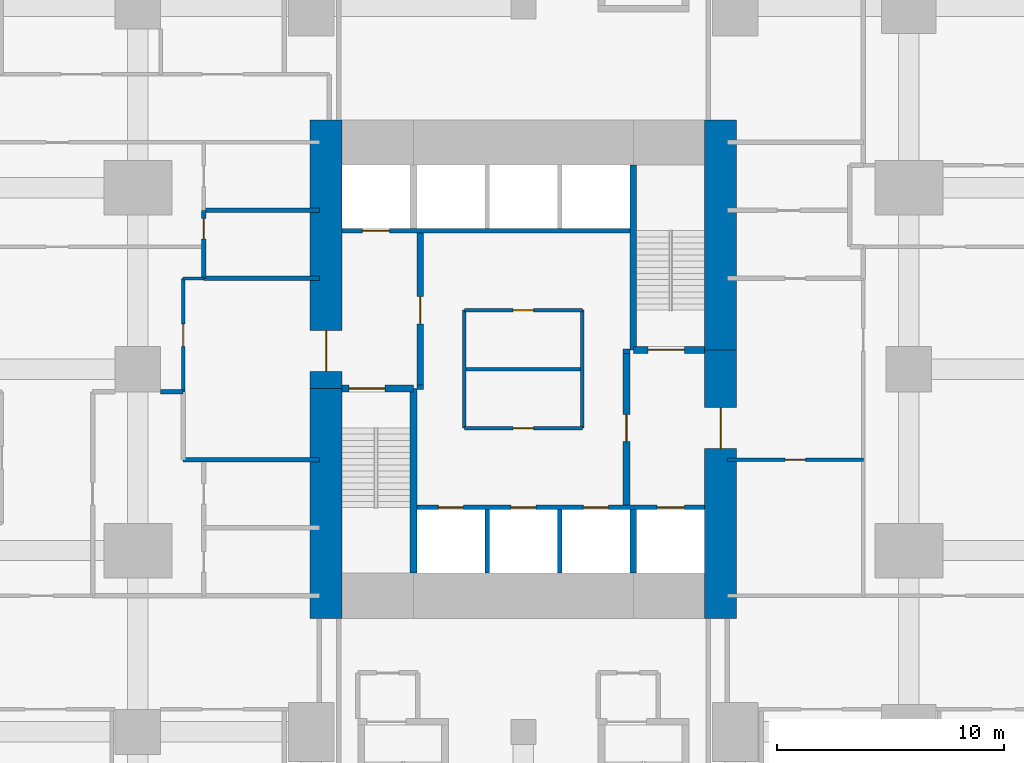
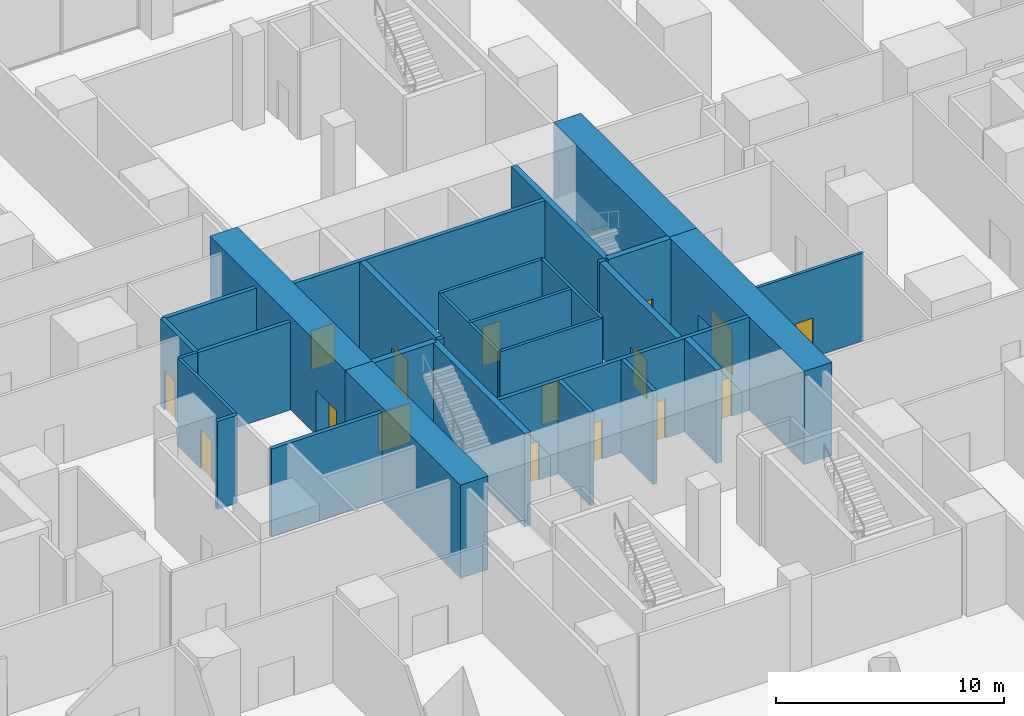
# One storey, part 14 of 22: 30 walls, 16 doors, 16 openings.
"""IFC4 building model written with IfcOpenShell, lengths in metres."""

from ifc_helpers import new_model, si_unit, direction, frame, frame_2d, origin, place, context, subcontext, project, spatial, rectangle, extrude, material, layer, layer_set, type_object, element, fill, save


model = new_model("IFC4")

# Units and contexts
model_context = context("Model", 3, precision=1e-05, world=origin(), true_north=direction((0.0, 1.0)))
body_context = subcontext(model_context, "Body", "Model", "MODEL_VIEW")
ifc_project = project(units=[si_unit("LENGTHUNIT", "METRE"), si_unit("AREAUNIT", "SQUARE_METRE"), si_unit("VOLUMEUNIT", "CUBIC_METRE"), si_unit("PLANEANGLEUNIT", "RADIAN"), si_unit("MASSUNIT", "GRAM", prefix="KILO")], contexts=[model_context])

# Site, building, storey
site_placement = place(None, origin())
site = spatial("IfcSite", under=ifc_project, at=site_placement, CompositionType="ELEMENT")
building_placement = place(site_placement, origin())
building = spatial("IfcBuilding", under=site, at=building_placement, Name="Cleftline Residences", CompositionType="ELEMENT")
storey_placement = place(building_placement, frame((0.0, 0.0, 6.0)))
storey = spatial("IfcBuildingStorey", under=building, at=storey_placement, Name="L01", CompositionType="ELEMENT", Elevation=6.0)

# Wall
ifc_material_1 = material(Name="Concrete B70", Category="concrete")
ifc_layer_1 = layer(ifc_material_1, 1.39990234375)
ifc_layer_set_1 = layer_set([ifc_layer_1], Name="CORE WALL 1400")
wall_type_1 = type_object("IfcWallType", Name="CORE WALL 1400", PredefinedType="SHEAR", material=ifc_layer_set_1)
wall_1_placement = place(storey_placement, frame((24.300048828125, 13.0, 0.0), z_axis=(0.0, 0.0, 1.0), x_axis=(0.0, 1.0, 0.0)))
element("IfcWall", 1, at=wall_1_placement, inside=storey, type_object=wall_type_1, Name="Core wall W0", PredefinedType="SHEAR", context=body_context, shape_type="SweptSolid", body=[
    extrude(rectangle(XDim=10.14990234375, YDim=1.39990234375, at=frame_2d((5.074951171875, 0.0))), origin(), (0.0, 0.0, 1.0), 5.0),
])

# Wall, opening, door
wall_2_placement = place(storey_placement, frame((24.300048828125, 23.14990234375, 0.0), z_axis=(0.0, 0.0, 1.0), x_axis=(0.0, 1.0, 0.0)))
wall_2 = element("IfcWall", 2, at=wall_2_placement, inside=storey, type_object=wall_type_1, Name="Core wall W", PredefinedType="SHEAR", context=body_context, shape_type="SweptSolid", body=[
    extrude(rectangle(XDim=11.85009765625, YDim=1.39990234375, at=frame_2d((5.925048828125, 0.0))), origin(), (0.0, 0.0, 1.0), 5.0),
])
opening_1_placement = place(wall_2_placement, frame((0.75, 0.0, 0.0)))
opening_1 = element("IfcOpeningElement", 3, at=opening_1_placement, cuts=wall_2, Name="Opening D7", PredefinedType="OPENING", context=body_context, shape_type="SweptSolid", body=[
    extrude(rectangle(XDim=1.800048828125, YDim=2.39990234375, at=frame_2d((0.89990234375, 1.199951171875))), frame((0.0, 0.7099609375, 0.0), z_axis=(0.0, -1.0, 0.0), x_axis=(1.0, 0.0, 0.0)), (0.0, 0.0, 1.0), 1.419921875),
])
ifc_material_2 = material(Name="Steel", Category="steel")
door_type_1 = type_object("IfcDoorType", Name="WING DOOR 1800X2400", OperationType="DOUBLE_DOOR_DOUBLE_SWING", PredefinedType="DOOR", material=ifc_material_2)
door_1_placement = place(opening_1_placement, origin())
door_1 = element("IfcDoor", 4, at=door_1_placement, inside=storey, type_object=door_type_1, Name="West wing door", OperationType="DOUBLE_DOOR_DOUBLE_SWING", OverallHeight=2.39990234375, OverallWidth=1.800048828125, PredefinedType="DOOR", context=body_context, shape_type="SweptSolid", body=[
    extrude(rectangle(XDim=1.800048828125, YDim=2.39990234375, at=frame_2d((0.89990234375, 1.199951171875))), frame((0.0, 0.02490234375, 0.0), z_axis=(0.0, -1.0, 0.0), x_axis=(1.0, 0.0, 0.0)), (0.0, 0.0, 1.0), 0.050048828125),
])
fill(opening_1, door_1)

wall_3_placement = place(storey_placement, frame((41.699951171875, 13.0, 0.0), z_axis=(0.0, 0.0, 1.0), x_axis=(0.0, 1.0, 0.0)))
wall_3 = element("IfcWall", 5, at=wall_3_placement, inside=storey, type_object=wall_type_1, Name="Core wall E", PredefinedType="SHEAR", context=body_context, shape_type="SweptSolid", body=[
    extrude(rectangle(XDim=11.85009765625, YDim=1.39990234375, at=frame_2d((5.925048828125, 0.0))), origin(), (0.0, 0.0, 1.0), 5.0),
])
opening_2_placement = place(wall_3_placement, frame((7.5, 0.0, 0.0)))
opening_2 = element("IfcOpeningElement", 6, at=opening_2_placement, cuts=wall_3, Name="Opening D7", PredefinedType="OPENING", context=body_context, shape_type="SweptSolid", body=[
    extrude(rectangle(XDim=1.800048828125, YDim=2.39990234375, at=frame_2d((0.89990234375, 1.199951171875))), frame((0.0, 0.7099609375, 0.0), z_axis=(0.0, -1.0, 0.0), x_axis=(1.0, 0.0, 0.0)), (0.0, 0.0, 1.0), 1.419921875),
])
door_2_placement = place(opening_2_placement, origin())
door_2 = element("IfcDoor", 7, at=door_2_placement, inside=storey, type_object=door_type_1, Name="East wing door", OperationType="DOUBLE_DOOR_DOUBLE_SWING", OverallHeight=2.39990234375, OverallWidth=1.800048828125, PredefinedType="DOOR", context=body_context, shape_type="SweptSolid", body=[
    extrude(rectangle(XDim=1.800048828125, YDim=2.39990234375, at=frame_2d((0.89990234375, 1.199951171875))), frame((0.0, 0.02490234375, 0.0), z_axis=(0.0, -1.0, 0.0), x_axis=(1.0, 0.0, 0.0)), (0.0, 0.0, 1.0), 0.050048828125),
])
fill(opening_2, door_2)

# Walls
wall_4_placement = place(storey_placement, frame((41.699951171875, 24.85009765625, 0.0), z_axis=(0.0, 0.0, 1.0), x_axis=(0.0, 1.0, 0.0)))
element("IfcWall", 8, at=wall_4_placement, inside=storey, type_object=wall_type_1, Name="Core wall E1", PredefinedType="SHEAR", context=body_context, shape_type="SweptSolid", body=[
    extrude(rectangle(XDim=10.14990234375, YDim=1.39990234375, at=frame_2d((5.074951171875, 0.0))), origin(), (0.0, 0.0, 1.0), 5.0),
])
ifc_material_3 = material(Name="Concrete B70", Category="concrete")
ifc_layer_2 = layer(ifc_material_3, 0.300048828125)
ifc_layer_set_2 = layer_set([ifc_layer_2], Name="CORE WALL 300")
wall_type_2 = type_object("IfcWallType", Name="CORE WALL 300", PredefinedType="SHEAR", material=ifc_layer_set_2)
wall_5_placement = place(storey_placement, frame((28.14990234375, 15.0, 0.0), z_axis=(0.0, 0.0, 1.0), x_axis=(0.0, 1.0, 0.0)))
element("IfcWall", 9, at=wall_5_placement, inside=storey, type_object=wall_type_2, Name="Core wall SA-E", PredefinedType="SHEAR", context=body_context, shape_type="SweptSolid", body=[
    extrude(rectangle(XDim=8.14990234375, YDim=0.300048828125, at=frame_2d((4.074951171875, 0.0))), origin(), (0.0, 0.0, 1.0), 5.0),
])

# Wall, opening, door
wall_6_placement = place(storey_placement, frame((25.0, 23.14990234375, 0.0), z_axis=(0.0, 0.0, 1.0), x_axis=(1.0, 0.0, 0.0)))
wall_6 = element("IfcWall", 10, at=wall_6_placement, inside=storey, type_object=wall_type_2, Name="Core wall SA-N", PredefinedType="SHEAR", context=body_context, shape_type="SweptSolid", body=[
    extrude(rectangle(XDim=3.14990234375, YDim=0.300048828125, at=frame_2d((1.574951171875, 0.0))), origin(), (0.0, 0.0, 1.0), 5.0),
])
opening_3_placement = place(wall_6_placement, frame((0.300048828125, 0.0, 0.0)))
opening_3 = element("IfcOpeningElement", 11, at=opening_3_placement, cuts=wall_6, Name="Opening D9", PredefinedType="OPENING", context=body_context, shape_type="SweptSolid", body=[
    extrude(rectangle(XDim=1.60009765625, YDim=2.10009765625, at=frame_2d((0.800048828125, 1.050048828125))), frame((0.0, 0.159912109375, 0.0), z_axis=(0.0, -1.0, 0.0), x_axis=(1.0, 0.0, 0.0)), (0.0, 0.0, 1.0), 0.320068359375),
])
ifc_material_4 = material(Name="Steel", Category="steel")
door_type_2 = type_object("IfcDoorType", Name="STAIR DOOR 1600X2100", OperationType="DOUBLE_DOOR_SINGLE_SWING", PredefinedType="DOOR", material=ifc_material_4)
door_3_placement = place(opening_3_placement, origin())
door_3 = element("IfcDoor", 12, at=door_3_placement, inside=storey, type_object=door_type_2, Name="Stair A door", OperationType="DOUBLE_DOOR_SINGLE_SWING", OverallHeight=2.10009765625, OverallWidth=1.60009765625, PredefinedType="DOOR", context=body_context, shape_type="SweptSolid", body=[
    extrude(rectangle(XDim=1.60009765625, YDim=2.10009765625, at=frame_2d((0.800048828125, 1.050048828125))), frame((0.0, 0.02490234375, 0.0), z_axis=(0.0, -1.0, 0.0), x_axis=(1.0, 0.0, 0.0)), (0.0, 0.0, 1.0), 0.050048828125),
])
fill(opening_3, door_3)

# Wall
wall_7_placement = place(storey_placement, frame((37.85009765625, 24.85009765625, 0.0), z_axis=(0.0, 0.0, 1.0), x_axis=(0.0, 1.0, 0.0)))
element("IfcWall", 13, at=wall_7_placement, inside=storey, type_object=wall_type_2, Name="Core wall SB-W", PredefinedType="SHEAR", context=body_context, shape_type="SweptSolid", body=[
    extrude(rectangle(XDim=8.14990234375, YDim=0.300048828125, at=frame_2d((4.074951171875, 0.0))), origin(), (0.0, 0.0, 1.0), 5.0),
])

# Wall, opening, door
wall_8_placement = place(storey_placement, frame((37.85009765625, 24.85009765625, 0.0), z_axis=(0.0, 0.0, 1.0), x_axis=(1.0, 0.0, 0.0)))
wall_8 = element("IfcWall", 14, at=wall_8_placement, inside=storey, type_object=wall_type_2, Name="Core wall SB-S", PredefinedType="SHEAR", context=body_context, shape_type="SweptSolid", body=[
    extrude(rectangle(XDim=3.14990234375, YDim=0.300048828125, at=frame_2d((1.574951171875, 0.0))), origin(), (0.0, 0.0, 1.0), 5.0),
])
opening_4_placement = place(wall_8_placement, frame((0.64990234375, 0.0, 0.0)))
opening_4 = element("IfcOpeningElement", 15, at=opening_4_placement, cuts=wall_8, Name="Opening D9", PredefinedType="OPENING", context=body_context, shape_type="SweptSolid", body=[
    extrude(rectangle(XDim=1.60009765625, YDim=2.10009765625, at=frame_2d((0.800048828125, 1.050048828125))), frame((0.0, 0.159912109375, 0.0), z_axis=(0.0, -1.0, 0.0), x_axis=(1.0, 0.0, 0.0)), (0.0, 0.0, 1.0), 0.320068359375),
])
door_4_placement = place(opening_4_placement, origin())
door_4 = element("IfcDoor", 16, at=door_4_placement, inside=storey, type_object=door_type_2, Name="Stair B door", OperationType="DOUBLE_DOOR_SINGLE_SWING", OverallHeight=2.10009765625, OverallWidth=1.60009765625, PredefinedType="DOOR", context=body_context, shape_type="SweptSolid", body=[
    extrude(rectangle(XDim=1.60009765625, YDim=2.10009765625, at=frame_2d((0.800048828125, 1.050048828125))), frame((0.0, 0.02490234375, 0.0), z_axis=(0.0, -1.0, 0.0), x_axis=(1.0, 0.0, 0.0)), (0.0, 0.0, 1.0), 0.050048828125),
])
fill(opening_4, door_4)

# Walls
wall_9_placement = place(storey_placement, frame((37.85009765625, 15.0, 0.0), z_axis=(0.0, 0.0, 1.0), x_axis=(0.0, 1.0, 0.0)))
element("IfcWall", 17, at=wall_9_placement, inside=storey, type_object=wall_type_2, Name="Lift shaft wall", PredefinedType="SHEAR", context=body_context, shape_type="SweptSolid", body=[
    extrude(rectangle(XDim=2.800048828125, YDim=0.300048828125, at=frame_2d((1.39990234375, 0.0))), origin(), (0.0, 0.0, 1.0), 5.0),
])
ifc_material_5 = material(Name="Concrete blockwork, fire rated", Category="masonry")
ifc_layer_3 = layer(ifc_material_5, 0.199951171875)
ifc_layer_set_3 = layer_set([ifc_layer_3], Name="FIRE WALL 200")
wall_type_3 = type_object("IfcWallType", Name="FIRE WALL 200", PredefinedType="PARTITIONING", material=ifc_layer_set_3)
wall_10_placement = place(storey_placement, frame((18.0, 20.0, 0.0), z_axis=(0.0, 0.0, 1.0), x_axis=(1.0, 0.0, 0.0)))
element("IfcWall", 18, at=wall_10_placement, inside=storey, type_object=wall_type_3, Name="Fire separating wall", PredefinedType="PARTITIONING", context=body_context, shape_type="SweptSolid", body=[
    extrude(rectangle(XDim=6.0, YDim=0.199951171875, at=frame_2d((3.0, 0.0))), origin(), (0.0, 0.0, 1.0), 4.699951171875),
])
wall_11_placement = place(storey_placement, frame((17.0, 23.0, 0.0), z_axis=(0.0, 0.0, 1.0), x_axis=(1.0, 0.0, 0.0)))
element("IfcWall", 19, at=wall_11_placement, inside=storey, type_object=wall_type_3, Name="Fire separating wall", PredefinedType="PARTITIONING", context=body_context, shape_type="SweptSolid", body=[
    extrude(rectangle(XDim=1.0, YDim=0.199951171875, at=frame_2d((0.5, 0.0))), origin(), (0.0, 0.0, 1.0), 4.699951171875),
])
for number, where, z_axis, x_axis, name in (
    (20, (18.89990234375, 28.0, 0.0), (0.0, 0.0, 1.0), (1.0, 0.0, 0.0), "Fire separating wall"),
    (21, (18.89990234375, 31.0, 0.0), (0.0, 0.0, 1.0), (1.0, 0.0, 0.0), "Fire separating wall"),
):
    element("IfcWall", number, at=place(storey_placement, frame(where, z_axis=z_axis, x_axis=x_axis)), inside=storey, type_object=wall_type_3, Name=name, PredefinedType="PARTITIONING", context=body_context, shape_type="SweptSolid", body=[
        extrude(rectangle(XDim=5.10009765625, YDim=0.199951171875, at=frame_2d((2.550048828125, 0.0))), origin(), (0.0, 0.0, 1.0), 4.699951171875),
    ])

# Wall, opening, door
wall_12_placement = place(storey_placement, frame((18.89990234375, 28.0, 0.0), z_axis=(0.0, 0.0, 1.0), x_axis=(0.0, 1.0, 0.0)))
wall_12 = element("IfcWall", 22, at=wall_12_placement, inside=storey, type_object=wall_type_3, Name="Fire separating wall", PredefinedType="PARTITIONING", context=body_context, shape_type="SweptSolid", body=[
    extrude(rectangle(XDim=3.0, YDim=0.199951171875, at=frame_2d((1.5, 0.0))), origin(), (0.0, 0.0, 1.0), 4.699951171875),
])
opening_5_placement = place(wall_12_placement, frame((1.75, 0.0, 0.0)))
opening_5 = element("IfcOpeningElement", 23, at=opening_5_placement, cuts=wall_12, Name="Opening D1F30", PredefinedType="OPENING", context=body_context, shape_type="SweptSolid", body=[
    extrude(rectangle(XDim=0.89990234375, YDim=2.10009765625, at=frame_2d((0.449951171875, 1.050048828125))), frame((0.0, 0.10986328125, 0.0), z_axis=(0.0, -1.0, 0.0), x_axis=(1.0, 0.0, 0.0)), (0.0, 0.0, 1.0), 0.219970703125),
])
ifc_material_6 = material(Name="Timber veneer on solid core", Category="wood")
door_type_3 = type_object("IfcDoorType", Name="DOOR 900X2100 EI 30", OperationType="SINGLE_SWING_LEFT", PredefinedType="DOOR", material=ifc_material_6)
door_5_placement = place(opening_5_placement, origin())
door_5 = element("IfcDoor", 24, at=door_5_placement, inside=storey, type_object=door_type_3, Name="Door to accessible wc", OperationType="SINGLE_SWING_LEFT", OverallHeight=2.10009765625, OverallWidth=0.89990234375, PredefinedType="DOOR", context=body_context, shape_type="SweptSolid", body=[
    extrude(rectangle(XDim=0.89990234375, YDim=2.10009765625, at=frame_2d((0.449951171875, 1.050048828125))), frame((0.0, 0.02490234375, 0.0), z_axis=(0.0, -1.0, 0.0), x_axis=(1.0, 0.0, 0.0)), (0.0, 0.0, 1.0), 0.050048828125),
])
fill(opening_5, door_5)

# Walls
for number, where, z_axis, x_axis, name in (
    (25, (28.300048828125, 23.199951171875, 0.0), (0.0, 0.0, 1.0), (1.0, 0.0, 0.0), "Fire separating wall"),
    (26, (37.39990234375, 24.800048828125, 0.0), (0.0, 0.0, 1.0), (1.0, 0.0, 0.0), "Fire separating wall"),
):
    element("IfcWall", number, at=place(storey_placement, frame(where, z_axis=z_axis, x_axis=x_axis)), inside=storey, type_object=wall_type_3, Name=name, PredefinedType="PARTITIONING", context=body_context, shape_type="SweptSolid", body=[
        extrude(rectangle(XDim=0.300048828125, YDim=0.199951171875, at=frame_2d((0.14990234375, 0.0))), origin(), (0.0, 0.0, 1.0), 5.0),
    ])

# Wall, opening, door
ifc_material_7 = material(Name="Gypsum board on steel studs", Category="steel")
ifc_layer_4 = layer(ifc_material_7, 0.14990234375)
ifc_layer_set_4 = layer_set([ifc_layer_4], Name="PARTITION 150")
wall_type_4 = type_object("IfcWallType", Name="PARTITION 150", PredefinedType="PARTITIONING", material=ifc_layer_set_4)
wall_13_placement = place(storey_placement, frame((42.0, 20.0, 0.0), z_axis=(0.0, 0.0, 1.0), x_axis=(1.0, 0.0, 0.0)))
wall_13 = element("IfcWall", 27, at=wall_13_placement, inside=storey, type_object=wall_type_4, Name="Partition", PredefinedType="PARTITIONING", context=body_context, shape_type="SweptSolid", body=[
    extrude(rectangle(XDim=6.0, YDim=0.14990234375, at=frame_2d((3.0, 0.0))), origin(), (0.0, 0.0, 1.0), 4.699951171875),
])
opening_6_placement = place(wall_13_placement, frame((2.550048828125, 0.0, 0.0)))
opening_6 = element("IfcOpeningElement", 28, at=opening_6_placement, cuts=wall_13, Name="Opening D1", PredefinedType="OPENING", context=body_context, shape_type="SweptSolid", body=[
    extrude(rectangle(XDim=0.89990234375, YDim=2.10009765625, at=frame_2d((0.449951171875, 1.050048828125))), frame((0.0, 0.0849609375, 0.0), z_axis=(0.0, -1.0, 0.0), x_axis=(1.0, 0.0, 0.0)), (0.0, 0.0, 1.0), 0.169921875),
])
ifc_material_8 = material(Name="Timber veneer on solid core", Category="wood")
door_type_4 = type_object("IfcDoorType", Name="DOOR 900X2100", OperationType="SINGLE_SWING_LEFT", PredefinedType="DOOR", material=ifc_material_8)
door_6_placement = place(opening_6_placement, origin())
door_6 = element("IfcDoor", 29, at=door_6_placement, inside=storey, type_object=door_type_4, Name="Door to store room", OperationType="SINGLE_SWING_LEFT", OverallHeight=2.10009765625, OverallWidth=0.89990234375, PredefinedType="DOOR", context=body_context, shape_type="SweptSolid", body=[
    extrude(rectangle(XDim=0.89990234375, YDim=2.10009765625, at=frame_2d((0.449951171875, 1.050048828125))), frame((0.0, 0.02490234375, 0.0), z_axis=(0.0, -1.0, 0.0), x_axis=(1.0, 0.0, 0.0)), (0.0, 0.0, 1.0), 0.050048828125),
])
fill(opening_6, door_6)

# Wall
wall_14_placement = place(storey_placement, frame((18.0, 28.0, 0.0), z_axis=(0.0, 0.0, 1.0), x_axis=(1.0, 0.0, 0.0)))
element("IfcWall", 30, at=wall_14_placement, inside=storey, type_object=wall_type_4, Name="Partition", PredefinedType="PARTITIONING", context=body_context, shape_type="SweptSolid", body=[
    extrude(rectangle(XDim=0.89990234375, YDim=0.14990234375, at=frame_2d((0.449951171875, 0.0))), origin(), (0.0, 0.0, 1.0), 4.699951171875),
])

# Wall, opening, door
wall_15_placement = place(storey_placement, frame((18.0, 23.0, 0.0), z_axis=(0.0, 0.0, 1.0), x_axis=(0.0, 1.0, 0.0)))
wall_15 = element("IfcWall", 31, at=wall_15_placement, inside=storey, type_object=wall_type_4, Name="Partition", PredefinedType="PARTITIONING", context=body_context, shape_type="SweptSolid", body=[
    extrude(rectangle(XDim=5.0, YDim=0.14990234375, at=frame_2d((2.5, 0.0))), origin(), (0.0, 0.0, 1.0), 4.699951171875),
])
opening_7_placement = place(wall_15_placement, frame((2.0, 0.0, 0.0)))
opening_7 = element("IfcOpeningElement", 32, at=opening_7_placement, cuts=wall_15, Name="Opening D2F30", PredefinedType="OPENING", context=body_context, shape_type="SweptSolid", body=[
    extrude(rectangle(XDim=1.0, YDim=2.10009765625, at=frame_2d((0.5, 1.050048828125))), frame((0.0, 0.0849609375, 0.0), z_axis=(0.0, -1.0, 0.0), x_axis=(1.0, 0.0, 0.0)), (0.0, 0.0, 1.0), 0.169921875),
])
ifc_material_9 = material(Name="Timber veneer on solid core", Category="wood")
door_type_5 = type_object("IfcDoorType", Name="DOOR 1000X2100 EI 30", OperationType="SINGLE_SWING_LEFT", PredefinedType="DOOR", material=ifc_material_9)
door_7_placement = place(opening_7_placement, origin())
door_7 = element("IfcDoor", 33, at=door_7_placement, inside=storey, type_object=door_type_5, Name="Door to podium corridor", OperationType="SINGLE_SWING_LEFT", OverallHeight=2.10009765625, OverallWidth=1.0, PredefinedType="DOOR", context=body_context, shape_type="SweptSolid", body=[
    extrude(rectangle(XDim=1.0, YDim=2.10009765625, at=frame_2d((0.5, 1.050048828125))), frame((0.0, 0.02490234375, 0.0), z_axis=(0.0, -1.0, 0.0), x_axis=(1.0, 0.0, 0.0)), (0.0, 0.0, 1.0), 0.050048828125),
])
fill(opening_7, door_7)

ifc_material_10 = material(Name="Fire-resisting gypsum board on steel studs", Category="steel")
ifc_layer_5 = layer(ifc_material_10, 0.14990234375)
ifc_layer_set_5 = layer_set([ifc_layer_5], Name="PARTITION 150 EI 60")
wall_type_5 = type_object("IfcWallType", Name="PARTITION 150 EI 60", PredefinedType="PARTITIONING", material=ifc_layer_set_5)
wall_16_placement = place(storey_placement, frame((30.39990234375, 21.39990234375, 0.0), z_axis=(0.0, 0.0, 1.0), x_axis=(1.0, 0.0, 0.0)))
wall_16 = element("IfcWall", 34, at=wall_16_placement, inside=storey, type_object=wall_type_5, Name="Core room partition", PredefinedType="PARTITIONING", context=body_context, shape_type="SweptSolid", body=[
    extrude(rectangle(XDim=5.2001953125, YDim=0.14990234375, at=frame_2d((2.60009765625, 0.0))), origin(), (0.0, 0.0, 1.0), 4.699951171875),
])
opening_8_placement = place(wall_16_placement, frame((2.14990234375, 0.0, 0.0)))
opening_8 = element("IfcOpeningElement", 35, at=opening_8_placement, cuts=wall_16, Name="Opening D1F30", PredefinedType="OPENING", context=body_context, shape_type="SweptSolid", body=[
    extrude(rectangle(XDim=0.89990234375, YDim=2.10009765625, at=frame_2d((0.449951171875, 1.050048828125))), frame((0.0, 0.0849609375, 0.0), z_axis=(0.0, -1.0, 0.0), x_axis=(1.0, 0.0, 0.0)), (0.0, 0.0, 1.0), 0.169921875),
])
door_8_placement = place(opening_8_placement, origin())
door_8 = element("IfcDoor", 36, at=door_8_placement, inside=storey, type_object=door_type_3, Name="Door to concierge store", OperationType="SINGLE_SWING_LEFT", OverallHeight=2.10009765625, OverallWidth=0.89990234375, PredefinedType="DOOR", context=body_context, shape_type="SweptSolid", body=[
    extrude(rectangle(XDim=0.89990234375, YDim=2.10009765625, at=frame_2d((0.449951171875, 1.050048828125))), frame((0.0, 0.02490234375, 0.0), z_axis=(0.0, -1.0, 0.0), x_axis=(1.0, 0.0, 0.0)), (0.0, 0.0, 1.0), 0.050048828125),
])
fill(opening_8, door_8)

wall_17_placement = place(storey_placement, frame((30.39990234375, 26.60009765625, 0.0), z_axis=(0.0, 0.0, 1.0), x_axis=(1.0, 0.0, 0.0)))
wall_17 = element("IfcWall", 37, at=wall_17_placement, inside=storey, type_object=wall_type_5, Name="Core room partition", PredefinedType="PARTITIONING", context=body_context, shape_type="SweptSolid", body=[
    extrude(rectangle(XDim=5.2001953125, YDim=0.14990234375, at=frame_2d((2.60009765625, 0.0))), origin(), (0.0, 0.0, 1.0), 4.699951171875),
])
opening_9_placement = place(wall_17_placement, frame((2.14990234375, 0.0, 0.0)))
opening_9 = element("IfcOpeningElement", 38, at=opening_9_placement, cuts=wall_17, Name="Opening D1F30", PredefinedType="OPENING", context=body_context, shape_type="SweptSolid", body=[
    extrude(rectangle(XDim=0.89990234375, YDim=2.10009765625, at=frame_2d((0.449951171875, 1.050048828125))), frame((0.0, 0.0849609375, 0.0), z_axis=(0.0, -1.0, 0.0), x_axis=(1.0, 0.0, 0.0)), (0.0, 0.0, 1.0), 0.169921875),
])
door_9_placement = place(opening_9_placement, origin())
door_9 = element("IfcDoor", 39, at=door_9_placement, inside=storey, type_object=door_type_3, Name="Door to linen store", OperationType="SINGLE_SWING_LEFT", OverallHeight=2.10009765625, OverallWidth=0.89990234375, PredefinedType="DOOR", context=body_context, shape_type="SweptSolid", body=[
    extrude(rectangle(XDim=0.89990234375, YDim=2.10009765625, at=frame_2d((0.449951171875, 1.050048828125))), frame((0.0, 0.02490234375, 0.0), z_axis=(0.0, -1.0, 0.0), x_axis=(1.0, 0.0, 0.0)), (0.0, 0.0, 1.0), 0.050048828125),
])
fill(opening_9, door_9)

# Walls
for number, where, z_axis, x_axis, name in (
    (40, (30.39990234375, 21.39990234375, 0.0), (0.0, 0.0, 1.0), (0.0, 1.0, 0.0), "Core room partition"),
    (41, (35.60009765625, 21.39990234375, 0.0), (0.0, 0.0, 1.0), (0.0, 1.0, 0.0), "Core room partition"),
    (42, (30.39990234375, 24.0, 0.0), (0.0, 0.0, 1.0), (1.0, 0.0, 0.0), "Core room partition"),
):
    element("IfcWall", number, at=place(storey_placement, frame(where, z_axis=z_axis, x_axis=x_axis)), inside=storey, type_object=wall_type_5, Name=name, PredefinedType="PARTITIONING", context=body_context, shape_type="SweptSolid", body=[
        extrude(rectangle(XDim=5.2001953125, YDim=0.14990234375, at=frame_2d((2.60009765625, 0.0))), origin(), (0.0, 0.0, 1.0), 4.699951171875),
    ])

# Wall, openings, doors
ifc_material_11 = material(Name="Concrete blockwork, fire rated", Category="masonry")
ifc_layer_6 = layer(ifc_material_11, 0.199951171875)
ifc_layer_set_6 = layer_set([ifc_layer_6], Name="SHAFT WALL 200")
wall_type_6 = type_object("IfcWallType", Name="SHAFT WALL 200", PredefinedType="PARTITIONING", material=ifc_layer_set_6)
wall_18_placement = place(storey_placement, frame((28.300048828125, 17.89990234375, 0.0), z_axis=(0.0, 0.0, 1.0), x_axis=(1.0, 0.0, 0.0)))
wall_18 = element("IfcWall", 43, at=wall_18_placement, inside=storey, type_object=wall_type_6, Name="Lift shaft wall", PredefinedType="PARTITIONING", context=body_context, shape_type="SweptSolid", body=[
    extrude(rectangle(XDim=12.699951171875, YDim=0.199951171875, at=frame_2d((6.35009765625, 0.0))), origin(), (0.0, 0.0, 1.0), 5.0),
])
opening_10_placement = place(wall_18_placement, frame((0.949951171875, 0.0, 0.0)))
opening_10 = element("IfcOpeningElement", 44, at=opening_10_placement, cuts=wall_18, Name="Opening LD1", PredefinedType="OPENING", context=body_context, shape_type="SweptSolid", body=[
    extrude(rectangle(XDim=1.10009765625, YDim=2.10009765625, at=frame_2d((0.550048828125, 1.050048828125))), frame((0.0, 0.10986328125, 0.0), z_axis=(0.0, -1.0, 0.0), x_axis=(1.0, 0.0, 0.0)), (0.0, 0.0, 1.0), 0.219970703125),
])
opening_11_placement = place(wall_18_placement, frame((4.14990234375, 0.0, 0.0)))
opening_11 = element("IfcOpeningElement", 45, at=opening_11_placement, cuts=wall_18, Name="Opening LD1", PredefinedType="OPENING", context=body_context, shape_type="SweptSolid", body=[
    extrude(rectangle(XDim=1.10009765625, YDim=2.10009765625, at=frame_2d((0.550048828125, 1.050048828125))), frame((0.0, 0.10986328125, 0.0), z_axis=(0.0, -1.0, 0.0), x_axis=(1.0, 0.0, 0.0)), (0.0, 0.0, 1.0), 0.219970703125),
])
opening_12_placement = place(wall_18_placement, frame((7.35009765625, 0.0, 0.0)))
opening_12 = element("IfcOpeningElement", 46, at=opening_12_placement, cuts=wall_18, Name="Opening LD1", PredefinedType="OPENING", context=body_context, shape_type="SweptSolid", body=[
    extrude(rectangle(XDim=1.10009765625, YDim=2.10009765625, at=frame_2d((0.550048828125, 1.050048828125))), frame((0.0, 0.10986328125, 0.0), z_axis=(0.0, -1.0, 0.0), x_axis=(1.0, 0.0, 0.0)), (0.0, 0.0, 1.0), 0.219970703125),
])
opening_13_placement = place(wall_18_placement, frame((10.60009765625, 0.0, 0.0)))
opening_13 = element("IfcOpeningElement", 47, at=opening_13_placement, cuts=wall_18, Name="Opening LD2", PredefinedType="OPENING", context=body_context, shape_type="SweptSolid", body=[
    extrude(rectangle(XDim=1.199951171875, YDim=2.10009765625, at=frame_2d((0.60009765625, 1.050048828125))), frame((0.0, 0.10986328125, 0.0), z_axis=(0.0, -1.0, 0.0), x_axis=(1.0, 0.0, 0.0)), (0.0, 0.0, 1.0), 0.219970703125),
])
ifc_material_12 = material(Name="Steel", Category="steel")
door_type_6 = type_object("IfcDoorType", Name="FIREFIGHTING LIFT LANDING DOOR 1200X2100", OperationType="SLIDING_TO_LEFT", PredefinedType="DOOR", material=ifc_material_12)
door_10_placement = place(opening_13_placement, origin())
door_10 = element("IfcDoor", 48, at=door_10_placement, inside=storey, type_object=door_type_6, Name="Lift FL2 landing door", OperationType="SLIDING_TO_LEFT", OverallHeight=2.10009765625, OverallWidth=1.199951171875, PredefinedType="DOOR", context=body_context, shape_type="SweptSolid", body=[
    extrude(rectangle(XDim=1.199951171875, YDim=2.10009765625, at=frame_2d((0.60009765625, 1.050048828125))), frame((0.0, 0.02490234375, 0.0), z_axis=(0.0, -1.0, 0.0), x_axis=(1.0, 0.0, 0.0)), (0.0, 0.0, 1.0), 0.050048828125),
])
fill(opening_13, door_10)
ifc_material_13 = material(Name="Steel", Category="steel")
door_type_7 = type_object("IfcDoorType", Name="LIFT LANDING DOOR 1100X2100", OperationType="SLIDING_TO_LEFT", PredefinedType="DOOR", material=ifc_material_13)
door_11_placement = place(opening_10_placement, origin())
door_11 = element("IfcDoor", 49, at=door_11_placement, inside=storey, type_object=door_type_7, Name="Lift P1 landing door", OperationType="SLIDING_TO_LEFT", OverallHeight=2.10009765625, OverallWidth=1.10009765625, PredefinedType="DOOR", context=body_context, shape_type="SweptSolid", body=[
    extrude(rectangle(XDim=1.10009765625, YDim=2.10009765625, at=frame_2d((0.550048828125, 1.050048828125))), frame((0.0, 0.02490234375, 0.0), z_axis=(0.0, -1.0, 0.0), x_axis=(1.0, 0.0, 0.0)), (0.0, 0.0, 1.0), 0.050048828125),
])
fill(opening_10, door_11)
door_12_placement = place(opening_11_placement, origin())
door_12 = element("IfcDoor", 50, at=door_12_placement, inside=storey, type_object=door_type_7, Name="Lift P2 landing door", OperationType="SLIDING_TO_LEFT", OverallHeight=2.10009765625, OverallWidth=1.10009765625, PredefinedType="DOOR", context=body_context, shape_type="SweptSolid", body=[
    extrude(rectangle(XDim=1.10009765625, YDim=2.10009765625, at=frame_2d((0.550048828125, 1.050048828125))), frame((0.0, 0.02490234375, 0.0), z_axis=(0.0, -1.0, 0.0), x_axis=(1.0, 0.0, 0.0)), (0.0, 0.0, 1.0), 0.050048828125),
])
fill(opening_11, door_12)
door_13_placement = place(opening_12_placement, origin())
door_13 = element("IfcDoor", 51, at=door_13_placement, inside=storey, type_object=door_type_7, Name="Lift P3 landing door", OperationType="SLIDING_TO_LEFT", OverallHeight=2.10009765625, OverallWidth=1.10009765625, PredefinedType="DOOR", context=body_context, shape_type="SweptSolid", body=[
    extrude(rectangle(XDim=1.10009765625, YDim=2.10009765625, at=frame_2d((0.550048828125, 1.050048828125))), frame((0.0, 0.02490234375, 0.0), z_axis=(0.0, -1.0, 0.0), x_axis=(1.0, 0.0, 0.0)), (0.0, 0.0, 1.0), 0.050048828125),
])
fill(opening_12, door_13)

# Wall, opening, door
wall_19_placement = place(storey_placement, frame((25.0, 30.10009765625, 0.0), z_axis=(0.0, 0.0, 1.0), x_axis=(1.0, 0.0, 0.0)))
wall_19 = element("IfcWall", 52, at=wall_19_placement, inside=storey, type_object=wall_type_6, Name="Lift shaft wall", PredefinedType="PARTITIONING", context=body_context, shape_type="SweptSolid", body=[
    extrude(rectangle(XDim=12.699951171875, YDim=0.199951171875, at=frame_2d((6.35009765625, 0.0))), origin(), (0.0, 0.0, 1.0), 5.0),
])
opening_14_placement = place(wall_19_placement, frame((0.89990234375, 0.0, 0.0)))
opening_14 = element("IfcOpeningElement", 53, at=opening_14_placement, cuts=wall_19, Name="Opening LD2", PredefinedType="OPENING", context=body_context, shape_type="SweptSolid", body=[
    extrude(rectangle(XDim=1.199951171875, YDim=2.10009765625, at=frame_2d((0.60009765625, 1.050048828125))), frame((0.0, 0.10986328125, 0.0), z_axis=(0.0, -1.0, 0.0), x_axis=(1.0, 0.0, 0.0)), (0.0, 0.0, 1.0), 0.219970703125),
])
door_14_placement = place(opening_14_placement, origin())
door_14 = element("IfcDoor", 54, at=door_14_placement, inside=storey, type_object=door_type_6, Name="Lift FL1 landing door", OperationType="SLIDING_TO_LEFT", OverallHeight=2.10009765625, OverallWidth=1.199951171875, PredefinedType="DOOR", context=body_context, shape_type="SweptSolid", body=[
    extrude(rectangle(XDim=1.199951171875, YDim=2.10009765625, at=frame_2d((0.60009765625, 1.050048828125))), frame((0.0, 0.02490234375, 0.0), z_axis=(0.0, -1.0, 0.0), x_axis=(1.0, 0.0, 0.0)), (0.0, 0.0, 1.0), 0.050048828125),
])
fill(opening_14, door_14)

# Walls
for number, where, z_axis, x_axis, name in (
    (55, (31.39990234375, 15.0, 0.0), (0.0, 0.0, 1.0), (0.0, 1.0, 0.0), "Lift shaft wall"),
    (56, (34.60009765625, 15.0, 0.0), (0.0, 0.0, 1.0), (0.0, 1.0, 0.0), "Lift shaft wall"),
):
    element("IfcWall", number, at=place(storey_placement, frame(where, z_axis=z_axis, x_axis=x_axis)), inside=storey, type_object=wall_type_6, Name=name, PredefinedType="PARTITIONING", context=body_context, shape_type="SweptSolid", body=[
        extrude(rectangle(XDim=2.800048828125, YDim=0.199951171875, at=frame_2d((1.39990234375, 0.0))), origin(), (0.0, 0.0, 1.0), 5.0),
    ])

# Wall, opening, door
ifc_material_14 = material(Name="Concrete blockwork, fire rated", Category="masonry")
ifc_layer_7 = layer(ifc_material_14, 0.300048828125)
ifc_layer_set_7 = layer_set([ifc_layer_7], Name="STAIR LOBBY WALL 300")
wall_type_7 = type_object("IfcWallType", Name="STAIR LOBBY WALL 300", PredefinedType="PARTITIONING", material=ifc_layer_set_7)
wall_20_placement = place(storey_placement, frame((28.449951171875, 23.300048828125, 0.0), z_axis=(0.0, 0.0, 1.0), x_axis=(0.0, 1.0, 0.0)))
wall_20 = element("IfcWall", 57, at=wall_20_placement, inside=storey, type_object=wall_type_7, Name="Stair and lobby wall FA-E", PredefinedType="PARTITIONING", context=body_context, shape_type="SweptSolid", body=[
    extrude(rectangle(XDim=6.699951171875, YDim=0.300048828125, at=frame_2d((3.35009765625, 0.0))), origin(), (0.0, 0.0, 1.0), 5.0),
])
opening_15_placement = place(wall_20_placement, frame((2.699951171875, 0.0, 0.0)))
opening_15 = element("IfcOpeningElement", 58, at=opening_15_placement, cuts=wall_20, Name="Opening D6", PredefinedType="OPENING", context=body_context, shape_type="SweptSolid", body=[
    extrude(rectangle(XDim=1.199951171875, YDim=2.10009765625, at=frame_2d((0.60009765625, 1.050048828125))), frame((0.0, 0.159912109375, 0.0), z_axis=(0.0, -1.0, 0.0), x_axis=(1.0, 0.0, 0.0)), (0.0, 0.0, 1.0), 0.320068359375),
])
ifc_material_15 = material(Name="Steel", Category="steel")
door_type_8 = type_object("IfcDoorType", Name="LOBBY DOOR 1200X2100", OperationType="SINGLE_SWING_RIGHT", PredefinedType="DOOR", material=ifc_material_15)
door_15_placement = place(opening_15_placement, origin())
door_15 = element("IfcDoor", 59, at=door_15_placement, inside=storey, type_object=door_type_8, Name="Firefighting lobby A door", OperationType="SINGLE_SWING_RIGHT", OverallHeight=2.10009765625, OverallWidth=1.199951171875, PredefinedType="DOOR", context=body_context, shape_type="SweptSolid", body=[
    extrude(rectangle(XDim=1.199951171875, YDim=2.10009765625, at=frame_2d((0.60009765625, 1.050048828125))), frame((0.0, 0.02490234375, 0.0), z_axis=(0.0, -1.0, 0.0), x_axis=(1.0, 0.0, 0.0)), (0.0, 0.0, 1.0), 0.050048828125),
])
fill(opening_15, door_15)

wall_21_placement = place(storey_placement, frame((37.550048828125, 18.0, 0.0), z_axis=(0.0, 0.0, 1.0), x_axis=(0.0, 1.0, 0.0)))
wall_21 = element("IfcWall", 60, at=wall_21_placement, inside=storey, type_object=wall_type_7, Name="Stair and lobby wall FB-W", PredefinedType="PARTITIONING", context=body_context, shape_type="SweptSolid", body=[
    extrude(rectangle(XDim=6.699951171875, YDim=0.300048828125, at=frame_2d((3.35009765625, 0.0))), origin(), (0.0, 0.0, 1.0), 5.0),
])
opening_16_placement = place(wall_21_placement, frame((2.800048828125, 0.0, 0.0)))
opening_16 = element("IfcOpeningElement", 61, at=opening_16_placement, cuts=wall_21, Name="Opening D6", PredefinedType="OPENING", context=body_context, shape_type="SweptSolid", body=[
    extrude(rectangle(XDim=1.199951171875, YDim=2.10009765625, at=frame_2d((0.60009765625, 1.050048828125))), frame((0.0, 0.159912109375, 0.0), z_axis=(0.0, -1.0, 0.0), x_axis=(1.0, 0.0, 0.0)), (0.0, 0.0, 1.0), 0.320068359375),
])
door_16_placement = place(opening_16_placement, origin())
door_16 = element("IfcDoor", 62, at=door_16_placement, inside=storey, type_object=door_type_8, Name="Firefighting lobby B door", OperationType="SINGLE_SWING_LEFT", OverallHeight=2.10009765625, OverallWidth=1.199951171875, PredefinedType="DOOR", context=body_context, shape_type="SweptSolid", body=[
    extrude(rectangle(XDim=1.199951171875, YDim=2.10009765625, at=frame_2d((0.60009765625, 1.050048828125))), frame((0.0, 0.02490234375, 0.0), z_axis=(0.0, -1.0, 0.0), x_axis=(1.0, 0.0, 0.0)), (0.0, 0.0, 1.0), 0.050048828125),
])
fill(opening_16, door_16)

save(model, "model.ifc")
